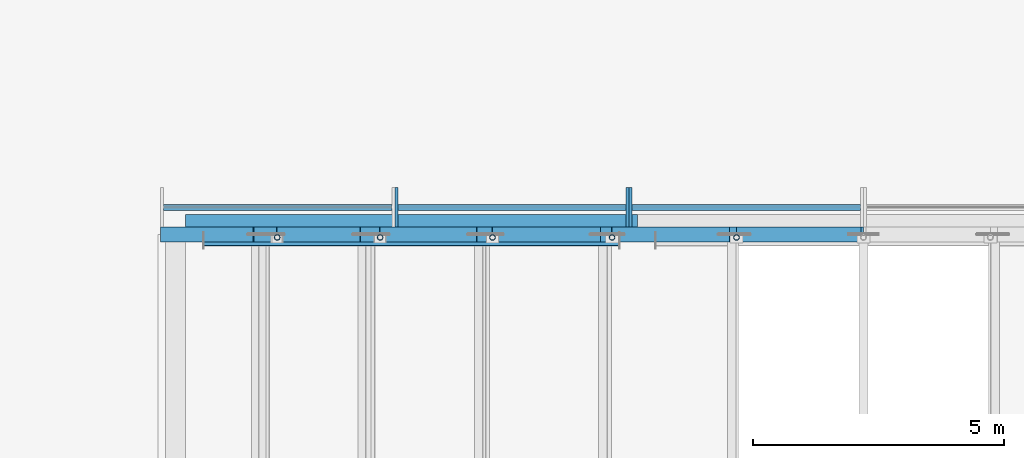
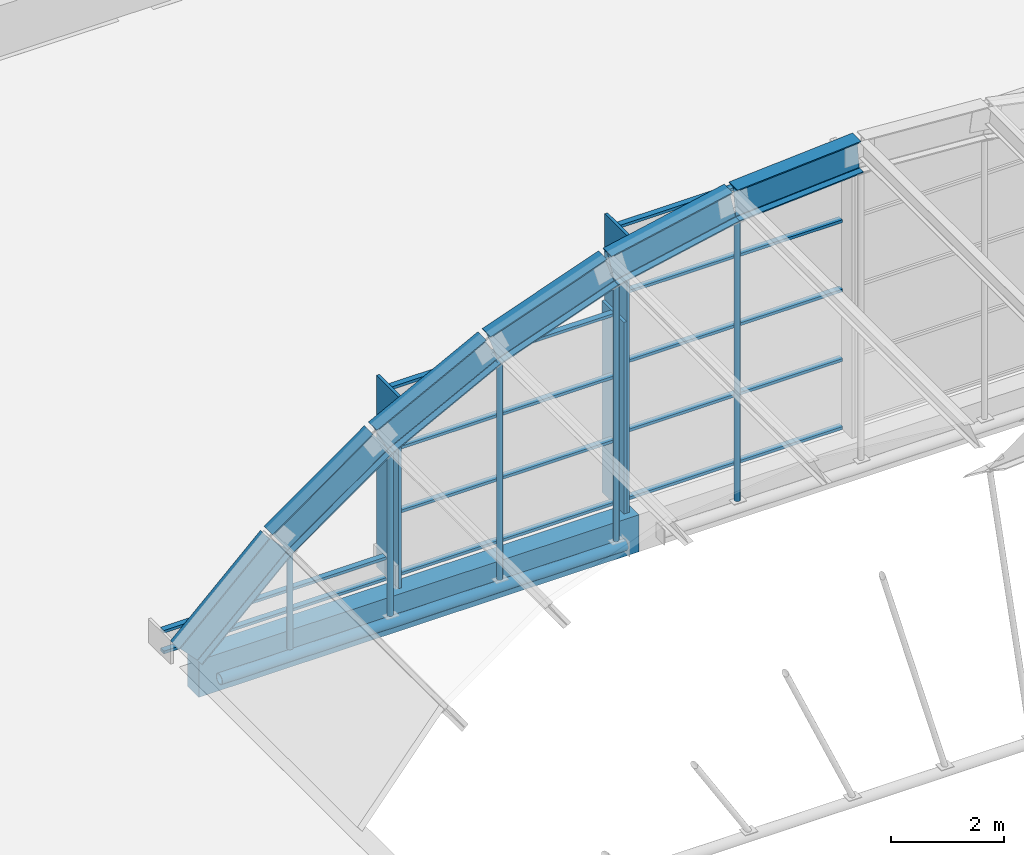
# One storey, part 14 of 43: 20 members, 7 beams, 3 elements without a shape of their own.
"""IFC4 building model written with IfcOpenShell, lengths in metres."""

import ifcopenshell
import ifcopenshell.guid

model = None  # the IFC model being written
_history = None  # IfcOwnerHistory: only IFC2X3 demands one
_inside = {}  # id of a spatial element -> (the spatial element, [elements in it])
_under = {}  # id of a project, library or spatial element -> (it, [spatial elements below it])
_declared = {}  # id of a project -> (the project, [libraries it declares])
_typed = {}  # id of a type object -> (the type object, [elements of that type])
_made_of = {}  # id of a material, layer set ... -> (it, [elements and type objects made of it])


def new_model(schema):
    """Start an empty IFC model of exactly this schema.

    Asked for "IFC4X3", IfcOpenShell would pick the latest addendum, in which some entities
    have other attributes; the version numbers below select the first issue.
    IFC2X3 requires an IfcOwnerHistory on every rooted entity: one is made here for all.
    """
    global model, _history
    if schema == "IFC4X3":
        model = ifcopenshell.file(schema_version=(4, 3, 0, 0))
    else:
        model = ifcopenshell.file(schema=schema)
    _inside.clear()
    _under.clear()
    _declared.clear()
    _typed.clear()
    _made_of.clear()
    _history = None
    if model.schema == "IFC2X3":
        org = make("IfcOrganization", Name="unknown")
        user = make(
            "IfcPersonAndOrganization",
            ThePerson=make("IfcPerson", FamilyName="unknown"),
            TheOrganization=org,
        )
        app = make(
            "IfcApplication",
            ApplicationDeveloper=org,
            Version="unknown",
            ApplicationFullName="unknown",
            ApplicationIdentifier="unknown",
        )
        _history = make(
            "IfcOwnerHistory",
            OwningUser=user,
            OwningApplication=app,
            ChangeAction="ADDED",
            CreationDate=0,
        )
    return model


def make(cls, **values):
    """One entity of the class cls with the attributes given. An attribute that is None is left unset."""
    return model.create_entity(
        cls, **{name: value for name, value in values.items() if value is not None}
    )


def rooted(cls, **values):
    """An entity with a GlobalId (a new one), such as an element, a storey or a relation."""
    return make(cls, GlobalId=ifcopenshell.guid.new(), OwnerHistory=_history, **values)


def si_unit(unit_type, name, prefix=None):
    """IfcSIUnit, for example si_unit("LENGTHUNIT", "METRE", prefix="MILLI")."""
    return make("IfcSIUnit", UnitType=unit_type, Prefix=prefix, Name=name)


def assignment(units):
    """IfcUnitAssignment: the units of a project."""
    return None if units is None else make("IfcUnitAssignment", Units=units)


def point(xyz):
    """IfcCartesianPoint."""
    return None if xyz is None else make("IfcCartesianPoint", Coordinates=xyz)


def direction(xyz):
    """IfcDirection."""
    return None if xyz is None else make("IfcDirection", DirectionRatios=xyz)


def frame(location, z_axis=None, x_axis=None):
    """IfcAxis2Placement3D, a coordinate frame: its origin and axes. An axis left out is left unset."""
    return make(
        "IfcAxis2Placement3D",
        Location=point(location),
        Axis=direction(z_axis),
        RefDirection=direction(x_axis),
    )


def frame_2d(location, x_axis=None):
    """IfcAxis2Placement2D, a coordinate frame in the plane: its origin and x axis."""
    return make(
        "IfcAxis2Placement2D", Location=point(location), RefDirection=direction(x_axis)
    )


def origin():
    """The frame at (0, 0, 0) with its axes left unset."""
    return frame((0.0, 0.0, 0.0))


def origin_2d():
    """The frame at (0, 0) in the plane with its x axis left unset."""
    return frame_2d((0.0, 0.0))


def place(relative_to, where):
    """IfcLocalPlacement: puts the frame where relative to a parent placement (None: the world)."""
    return make(
        "IfcLocalPlacement", PlacementRelTo=relative_to, RelativePlacement=where
    )


def context(
    kind, dimensions, precision=None, world=None, true_north=None, identifier=None
):
    """IfcGeometricRepresentationContext, for example the 3D "Model" context."""
    return make(
        "IfcGeometricRepresentationContext",
        ContextIdentifier=identifier,
        ContextType=kind,
        CoordinateSpaceDimension=dimensions,
        Precision=precision,
        WorldCoordinateSystem=world,
        TrueNorth=true_north,
    )


def subcontext(parent, identifier, kind, view, scale=None):
    """IfcGeometricRepresentationSubContext, for example "Body" below "Model"."""
    return make(
        "IfcGeometricRepresentationSubContext",
        ContextIdentifier=identifier,
        ContextType=kind,
        ParentContext=parent,
        TargetScale=scale,
        TargetView=view,
    )


def project(units=None, contexts=None):
    """IfcProject with its units and contexts."""
    return rooted(
        "IfcProject",
        Name="project",
        RepresentationContexts=contexts,
        UnitsInContext=assignment(units),
    )


def spatial(cls, under=None, at=None, **own):
    """A site, building, storey or space (cls), placed at a placement, below another one or the project."""
    s = rooted(cls, ObjectPlacement=at, **own)
    if under is not None:
        _under.setdefault(under.id(), (under, []))[1].append(s)
    return s


def profile(cls, at=None, kind="AREA", **sizes):
    """A parametric profile (cls). Its sizes go by their IFC names, for example OverallWidth=200.0."""
    return make(cls, ProfileType=kind, Position=at, **sizes)


def rectangle(**sizes):
    """IfcRectangleProfileDef."""
    return profile("IfcRectangleProfileDef", **sizes)


def hollow_circle(**sizes):
    """IfcCircleHollowProfileDef."""
    return profile("IfcCircleHollowProfileDef", **sizes)


def i_section(**sizes):
    """IfcIShapeProfileDef."""
    return profile("IfcIShapeProfileDef", **sizes)


def extrude(swept, where, along, depth):
    """IfcExtrudedAreaSolid: the profile swept, set in the frame where, extruded along a direction by depth."""
    return make(
        "IfcExtrudedAreaSolid",
        SweptArea=swept,
        Position=where,
        ExtrudedDirection=direction(along),
        Depth=depth,
    )


def shape(context_of_items, identifier, shape_type, items):
    """IfcShapeRepresentation: the items that make up one representation, for example the "Body"."""
    return make(
        "IfcShapeRepresentation",
        ContextOfItems=context_of_items,
        RepresentationIdentifier=identifier,
        RepresentationType=shape_type,
        Items=items,
    )


def material(Name=None, Category=None):
    """IfcMaterial."""
    return make("IfcMaterial", Name=Name, Category=Category)


def layer(
    of_material, thickness, ventilated=None, Name=None, Category=None, Priority=None
):
    """IfcMaterialLayer: one layer of a wall or slab, of a material (None: an air gap)."""
    return make(
        "IfcMaterialLayer",
        Material=of_material,
        LayerThickness=thickness,
        IsVentilated=ventilated,
        Name=Name,
        Category=Category,
        Priority=Priority,
    )


def layer_set(layers, Name=None):
    """IfcMaterialLayerSet."""
    return make("IfcMaterialLayerSet", MaterialLayers=layers, LayerSetName=Name)


def material_profile(
    of_material, cross_section, Name=None, Category=None, Priority=None
):
    """IfcMaterialProfile: a cross section and its material."""
    return make(
        "IfcMaterialProfile",
        Name=Name,
        Material=of_material,
        Profile=cross_section,
        Priority=Priority,
        Category=Category,
    )


def profile_set(profiles, Name=None, composite=None):
    """IfcMaterialProfileSet."""
    return make(
        "IfcMaterialProfileSet",
        Name=Name,
        MaterialProfiles=profiles,
        CompositeProfile=composite,
    )


def made_of(thing, what):
    """Note that an element or type object is made of a material, layer set ...; save() writes the relation."""
    if what is not None:
        _made_of.setdefault(what.id(), (what, []))[1].append(thing)
    return thing


def type_object(cls, material=None, **own):
    """A type object (cls), such as IfcWallType, which elements share."""
    return made_of(rooted(cls, **own), material)


def element(
    cls,
    number,
    at=None,
    inside=None,
    cuts=None,
    type_object=None,
    material=None,
    context=None,
    identifier="Body",
    shape_type=None,
    held_by="IfcProductDefinitionShape",
    body=None,
    shapes=None,
    **own,
):
    """One element of the class cls, such as IfcWall. Its Tag is "e" and its number.

    at: its placement. inside: the storey or other place that contains it. cuts: it is an
    opening in that element (IfcRelVoidsElement). A single representation is given by context,
    identifier, shape_type and body (its items); several are given by shapes. held_by: the class
    of the entity that holds the representations. save() writes the other relations.
    """
    e = rooted(cls, Tag="e%d" % number, ObjectPlacement=at, **own)
    if body is not None:
        shapes = [shape(context, identifier, shape_type, body)]
    if shapes is not None:
        e.Representation = make(held_by, Representations=shapes)
    if inside is not None:
        _inside.setdefault(inside.id(), (inside, []))[1].append(e)
    if cuts is not None:
        rooted(
            "IfcRelVoidsElement", RelatingBuildingElement=cuts, RelatedOpeningElement=e
        )
    if type_object is not None:
        _typed.setdefault(type_object.id(), (type_object, []))[1].append(e)
    return made_of(e, material)


def aggregate(whole, parts):
    """IfcRelAggregates: a whole, such as a stair, and the parts it consists of."""
    return rooted("IfcRelAggregates", RelatingObject=whole, RelatedObjects=parts)


def save(model, path):
    """Write the relations noted so far, then the file.

    IfcRelAggregates (storeys below a building ...), IfcRelContainedInSpatialStructure (elements
    in a storey), IfcRelDefinesByType, IfcRelAssociatesMaterial and IfcRelDeclares: one each for
    every whole, place, type object, material and project.
    """
    for whole, parts in _under.values():
        aggregate(whole, parts)
    for where, things in _inside.values():
        rooted(
            "IfcRelContainedInSpatialStructure",
            RelatedElements=things,
            RelatingStructure=where,
        )
    for kind, things in _typed.values():
        rooted("IfcRelDefinesByType", RelatedObjects=things, RelatingType=kind)
    for what, things in _made_of.values():
        rooted("IfcRelAssociatesMaterial", RelatedObjects=things, RelatingMaterial=what)
    for by, libraries in _declared.values():
        rooted("IfcRelDeclares", RelatingContext=by, RelatedDefinitions=libraries)
    model.write(path)


model = new_model("IFC4")

# Units and contexts
model_context = context("Model", 3, precision=1e-05, world=origin(), true_north=direction((0.0, 1.0)))
body_context = subcontext(model_context, "Body", "Model", "MODEL_VIEW")
ifc_project = project(units=[si_unit("LENGTHUNIT", "METRE"), si_unit("AREAUNIT", "SQUARE_METRE"), si_unit("VOLUMEUNIT", "CUBIC_METRE"), si_unit("PLANEANGLEUNIT", "RADIAN"), si_unit("MASSUNIT", "GRAM", prefix="KILO")], contexts=[model_context])

# Site, building, storey
site_placement = place(None, origin())
site = spatial("IfcSite", under=ifc_project, at=site_placement, CompositionType="ELEMENT")
building_placement = place(site_placement, origin())
building = spatial("IfcBuilding", under=site, at=building_placement, Name="Guidao Yard Department Store", CompositionType="ELEMENT")
storey_placement = place(building_placement, frame((0.0, 0.0, 28.5)))
storey = spatial("IfcBuildingStorey", under=building, at=storey_placement, Name="L06", CompositionType="ELEMENT", Elevation=28.5)

# Members
ifc_material_1 = material(Name="Steel Q355B", Category="steel")
ifc_material_profile_1 = material_profile(ifc_material_1, hollow_circle(Radius=0.056884765625, WallThickness=0.006103515625, at=origin_2d()), Name="CHS 114x6")
ifc_profile_set_1 = profile_set([ifc_material_profile_1], Name="Steel Q355B")
member_type_1 = type_object("IfcMemberType", Name="CHS 114x6", PredefinedType="BRACE", material=ifc_profile_set_1)
member_1_placement = place(storey_placement, frame((19.826416015625, 89.93994140625, -0.33447265625), z_axis=(0.0, 0.0, 1.0), x_axis=(1.0, 0.0, 0.0)))
element("IfcMember", 1, at=member_1_placement, inside=storey, type_object=member_type_1, Name="Roof web strut A05-01", PredefinedType="BRACE", context=body_context, shape_type="SweptSolid", body=[
    extrude(hollow_circle(Radius=0.056884765625, WallThickness=0.006103515625, at=origin_2d()), origin(), (0.0, 0.0, 1.0), 2.075439453125),
])
member_2_placement = place(storey_placement, frame((21.876708984375, 89.93994140625, -0.33447265625), z_axis=(0.0, 0.0, 1.0), x_axis=(1.0, 0.0, 0.0)))
element("IfcMember", 2, at=member_2_placement, inside=storey, type_object=member_type_1, Name="Roof web strut A05-02", PredefinedType="BRACE", context=body_context, shape_type="SweptSolid", body=[
    extrude(hollow_circle(Radius=0.056884765625, WallThickness=0.006103515625, at=origin_2d()), origin(), (0.0, 0.0, 1.0), 3.534423828125),
])
member_3_placement = place(storey_placement, frame((24.11376953125, 89.93994140625, -0.33447265625), z_axis=(0.0, 0.0, 1.0), x_axis=(1.0, 0.0, 0.0)))
element("IfcMember", 3, at=member_3_placement, inside=storey, type_object=member_type_1, Name="Roof web strut A05-03", PredefinedType="BRACE", context=body_context, shape_type="SweptSolid", body=[
    extrude(hollow_circle(Radius=0.056884765625, WallThickness=0.006103515625, at=origin_2d()), origin(), (0.0, 0.0, 1.0), 4.69970703125),
])
member_4_placement = place(storey_placement, frame((26.49462890625, 89.93994140625, -0.33447265625), z_axis=(0.0, 0.0, 1.0), x_axis=(1.0, 0.0, 0.0)))
element("IfcMember", 4, at=member_4_placement, inside=storey, type_object=member_type_1, Name="Roof web strut A05-04", PredefinedType="BRACE", context=body_context, shape_type="SweptSolid", body=[
    extrude(hollow_circle(Radius=0.056884765625, WallThickness=0.006103515625, at=origin_2d()), origin(), (0.0, 0.0, 1.0), 5.548583984375),
])
member_5_placement = place(storey_placement, frame((28.97265625, 89.93994140625, -0.33447265625), z_axis=(0.0, 0.0, 1.0), x_axis=(1.0, 0.0, 0.0)))
element("IfcMember", 5, at=member_5_placement, inside=storey, type_object=member_type_1, Name="Roof web strut A05-05", PredefinedType="BRACE", context=body_context, shape_type="SweptSolid", body=[
    extrude(hollow_circle(Radius=0.056884765625, WallThickness=0.006103515625, at=origin_2d()), origin(), (0.0, 0.0, 1.0), 6.064697265625),
])
ifc_material_2 = material(Name="Steel Q355B", Category="steel")
ifc_material_profile_2 = material_profile(ifc_material_2, hollow_circle(Radius=0.109619140625, WallThickness=0.010009765625, at=origin_2d()), Name="CHS 219x10")
ifc_profile_set_2 = profile_set([ifc_material_profile_2], Name="Steel Q355B")
member_type_2 = type_object("IfcMemberType", Name="CHS 219x10", PredefinedType="BRACE", material=ifc_profile_set_2)
member_6_placement = place(storey_placement, frame((18.35009765625, 89.8798828125, -0.449951171875), z_axis=(1.0, 0.0, 0.0), x_axis=(0.0, 1.0, 0.0)))
element("IfcMember", 6, at=member_6_placement, inside=storey, type_object=member_type_2, Name="Roof tie rod A05-1", PredefinedType="BRACE", context=body_context, shape_type="SweptSolid", body=[
    extrude(hollow_circle(Radius=0.109619140625, WallThickness=0.010009765625, at=origin_2d()), origin(), (0.0, 0.0, 1.0), 8.2998046875),
])

# Beams
ifc_material_3 = material(Name="Steel Q355B", Category="steel")
ifc_material_profile_3 = material_profile(ifc_material_3, i_section(OverallWidth=0.300048828125, OverallDepth=0.699951171875, WebThickness=0.012939453125, FlangeThickness=0.02392578125, FilletRadius=0.01806640625, at=origin_2d()), Name="HN 700x300x13x24")
ifc_profile_set_3 = profile_set([ifc_material_profile_3], Name="Steel Q355B")
beam_type_1 = type_object("IfcBeamType", Name="HN 700x300x13x24", PredefinedType="BEAM", material=ifc_profile_set_3)
beam_1_placement = place(storey_placement, frame((17.74462890625, 90.0, 0.25439453125), z_axis=(0.726628290109, 0.0, 0.687030805724), x_axis=(0.0, 1.0, 0.0)))
element("IfcBeam", 7, at=beam_1_placement, inside=storey, type_object=beam_type_1, Name="Roof rib A05-01", PredefinedType="BEAM", context=body_context, shape_type="SweptSolid", body=[
    extrude(i_section(OverallWidth=0.300048828125, OverallDepth=0.699951171875, WebThickness=0.012939453125, FlangeThickness=0.02392578125, FilletRadius=0.01806640625, at=origin_2d()), origin(), (0.0, 0.0, 1.0), 2.533935546875),
])
beam_2_placement = place(storey_placement, frame((19.62353515625, 90.0, 2.026123046875), z_axis=(0.814735308412, 0.0, 0.579833059791), x_axis=(0.0, 1.0, 0.0)))
element("IfcBeam", 8, at=beam_2_placement, inside=storey, type_object=beam_type_1, Name="Roof rib A05-02", PredefinedType="BEAM", context=body_context, shape_type="SweptSolid", body=[
    extrude(i_section(OverallWidth=0.300048828125, OverallDepth=0.699951171875, WebThickness=0.012939453125, FlangeThickness=0.02392578125, FilletRadius=0.01806640625, at=origin_2d()), origin(), (0.0, 0.0, 1.0), 2.51611328125),
])
beam_3_placement = place(storey_placement, frame((21.71484375, 90.0, 3.51025390625), z_axis=(0.886910779875, 0.0, 0.461940763023), x_axis=(0.0, 1.0, 0.0)))
element("IfcBeam", 9, at=beam_3_placement, inside=storey, type_object=beam_type_1, Name="Roof rib A05-03", PredefinedType="BEAM", context=body_context, shape_type="SweptSolid", body=[
    extrude(i_section(OverallWidth=0.300048828125, OverallDepth=0.699951171875, WebThickness=0.012939453125, FlangeThickness=0.02392578125, FilletRadius=0.01806640625, at=origin_2d()), origin(), (0.0, 0.0, 1.0), 2.5224609375),
])
beam_4_placement = place(storey_placement, frame((23.996337890625, 90.0, 4.69482421875), z_axis=(0.94189041097, 0.0, 0.335920308588), x_axis=(0.0, 1.0, 0.0)))
element("IfcBeam", 10, at=beam_4_placement, inside=storey, type_object=beam_type_1, Name="Roof rib A05-04", PredefinedType="BEAM", context=body_context, shape_type="SweptSolid", body=[
    extrude(i_section(OverallWidth=0.300048828125, OverallDepth=0.699951171875, WebThickness=0.012939453125, FlangeThickness=0.02392578125, FilletRadius=0.01806640625, at=origin_2d()), origin(), (0.0, 0.0, 1.0), 2.52783203125),
])
beam_5_placement = place(storey_placement, frame((26.42333984375, 90.0, 5.556884765625), z_axis=(0.978991652307, 0.0, 0.203900330343), x_axis=(0.0, 1.0, 0.0)))
element("IfcBeam", 11, at=beam_5_placement, inside=storey, type_object=beam_type_1, Name="Roof rib A05-05", PredefinedType="BEAM", context=body_context, shape_type="SweptSolid", body=[
    extrude(i_section(OverallWidth=0.300048828125, OverallDepth=0.699951171875, WebThickness=0.012939453125, FlangeThickness=0.02392578125, FilletRadius=0.01806640625, at=origin_2d()), origin(), (0.0, 0.0, 1.0), 2.53125),
])
beam_6_placement = place(storey_placement, frame((28.94873046875, 90.0, 6.07958984375), z_axis=(0.997662835171, 0.0, 0.06832911033), x_axis=(0.0, 1.0, 0.0)))
element("IfcBeam", 12, at=beam_6_placement, inside=storey, type_object=beam_type_1, Name="Roof rib A05-06", PredefinedType="BEAM", context=body_context, shape_type="SweptSolid", body=[
    extrude(i_section(OverallWidth=0.300048828125, OverallDepth=0.699951171875, WebThickness=0.012939453125, FlangeThickness=0.02392578125, FilletRadius=0.01806640625, at=origin_2d()), origin(), (0.0, 0.0, 1.0), 2.533203125),
])

# Curtain wall, members
ifc_material_4 = material(Name="Aluminium and glass", Category="aluminium")
ifc_layer = layer(ifc_material_4, 0.159912109375)
ifc_layer_set = layer_set([ifc_layer], Name="Gable glazing CW7 1500 module")
curtain_wall_type = type_object("IfcCurtainWallType", Name="Gable glazing CW7 1500 module", PredefinedType="NOTDEFINED", material=ifc_layer_set)
curtain_wall_1_placement = place(storey_placement, origin())
curtain_wall_1 = element("IfcCurtainWall", 13, at=curtain_wall_1_placement, inside=storey, type_object=curtain_wall_type, Name="Gable glazing AN2", PredefinedType="NOTDEFINED")
ifc_material_5 = material(Name="Aluminium 6063-T5", Category="aluminium")
ifc_material_profile_4 = material_profile(ifc_material_5, rectangle(XDim=0.06005859375, YDim=0.780029296875, at=origin_2d()), Name="Mullion M3 60 x 780 aluminium pressure plate")
ifc_profile_set_4 = profile_set([ifc_material_profile_4], Name="Aluminium 6063-T5")
member_type_3 = type_object("IfcMemberType", Name="Mullion M3 60 x 780 aluminium pressure plate", PredefinedType="MULLION", material=ifc_profile_set_4)
member_7_placement = place(storey_placement, frame((22.199462890625, 90.5400390625, 0.0), z_axis=(0.0, 0.0, 1.0), x_axis=(1.0, 0.0, 0.0)))
member_7 = element("IfcMember", 14, at=member_7_placement, type_object=member_type_3, Name="CW-TAN2 mullion 1", PredefinedType="MULLION", context=body_context, shape_type="SweptSolid", body=[
    extrude(rectangle(XDim=0.06005859375, YDim=0.780029296875, at=origin_2d()), origin(), (0.0, 0.0, 1.0), 4.1416015625),
])
member_8_placement = place(storey_placement, frame((26.8046875, 90.5400390625, 0.0), z_axis=(0.0, 0.0, 1.0), x_axis=(1.0, 0.0, 0.0)))
member_8 = element("IfcMember", 15, at=member_8_placement, type_object=member_type_3, Name="CW-TAN2 mullion 2", PredefinedType="MULLION", context=body_context, shape_type="SweptSolid", body=[
    extrude(rectangle(XDim=0.06005859375, YDim=0.780029296875, at=origin_2d()), origin(), (0.0, 0.0, 1.0), 4.1416015625),
])

# Curtain wall, member
curtain_wall_2_placement = place(storey_placement, origin())
curtain_wall_2 = element("IfcCurtainWall", 16, at=curtain_wall_2_placement, inside=storey, type_object=curtain_wall_type, Name="Gable glazing AN3", PredefinedType="NOTDEFINED")
member_9_placement = place(storey_placement, frame((26.86474609375, 90.5400390625, 0.0), z_axis=(0.0, 0.0, 1.0), x_axis=(1.0, 0.0, 0.0)))
member_9 = element("IfcMember", 17, at=member_9_placement, type_object=member_type_3, Name="CW-TAN3 mullion 1", PredefinedType="MULLION", context=body_context, shape_type="SweptSolid", body=[
    extrude(rectangle(XDim=0.06005859375, YDim=0.780029296875, at=origin_2d()), origin(), (0.0, 0.0, 1.0), 6.0),
])

# Curtain wall, members
curtain_wall_3_placement = place(storey_placement, origin())
curtain_wall_3 = element("IfcCurtainWall", 18, at=curtain_wall_3_placement, inside=storey, type_object=curtain_wall_type, Name="Gable glazing AN1", PredefinedType="NOTDEFINED")
ifc_material_6 = material(Name="Aluminium 6063-T5", Category="aluminium")
ifc_material_profile_5 = material_profile(ifc_material_6, rectangle(XDim=0.1201171875, YDim=0.06005859375, at=origin_2d()), Name="Transom T1 60 x 120 aluminium pressure plate")
ifc_profile_set_5 = profile_set([ifc_material_profile_5], Name="Aluminium 6063-T5")
member_type_4 = type_object("IfcMemberType", Name="Transom T1 60 x 120 aluminium pressure plate", PredefinedType="USERDEFINED", material=ifc_profile_set_5)
member_10_placement = place(storey_placement, frame((17.56396484375, 90.5400390625, 0.030029296875), z_axis=(1.0, 0.0, 0.0), x_axis=(0.0, 1.0, 0.0)))
member_10 = element("IfcMember", 19, at=member_10_placement, type_object=member_type_4, Name="CW-TAN1 transom 1.1", ObjectType="TRANSOM", PredefinedType="USERDEFINED", context=body_context, shape_type="SweptSolid", body=[
    extrude(rectangle(XDim=0.1201171875, YDim=0.06005859375, at=origin_2d()), origin(), (0.0, 0.0, 1.0), 4.54541015625),
])
member_11_placement = place(storey_placement, frame((17.56396484375, 90.5400390625, 0.478759765625), z_axis=(1.0, 0.0, 0.0), x_axis=(0.0, 1.0, 0.0)))
member_11 = element("IfcMember", 20, at=member_11_placement, type_object=member_type_4, Name="CW-TAN1 transom 1.2", ObjectType="TRANSOM", PredefinedType="USERDEFINED", context=body_context, shape_type="SweptSolid", body=[
    extrude(rectangle(XDim=0.1201171875, YDim=0.06005859375, at=origin_2d()), origin(), (0.0, 0.0, 1.0), 4.54541015625),
])
aggregate(curtain_wall_3, [member_10, member_11])

# Member
member_12_placement = place(storey_placement, frame((22.2294921875, 90.5400390625, 0.030029296875), z_axis=(1.0, 0.0, 0.0), x_axis=(0.0, 1.0, 0.0)))
member_12 = element("IfcMember", 21, at=member_12_placement, type_object=member_type_4, Name="CW-TAN2 transom 1.1", ObjectType="TRANSOM", PredefinedType="USERDEFINED", context=body_context, shape_type="SweptSolid", body=[
    extrude(rectangle(XDim=0.1201171875, YDim=0.06005859375, at=origin_2d()), origin(), (0.0, 0.0, 1.0), 4.545166015625),
])

member_13_placement = place(storey_placement, frame((22.2294921875, 90.5400390625, 1.380615234375), z_axis=(1.0, 0.0, 0.0), x_axis=(0.0, 1.0, 0.0)))
member_13 = element("IfcMember", 22, at=member_13_placement, type_object=member_type_4, Name="CW-TAN2 transom 1.2", ObjectType="TRANSOM", PredefinedType="USERDEFINED", context=body_context, shape_type="SweptSolid", body=[
    extrude(rectangle(XDim=0.1201171875, YDim=0.06005859375, at=origin_2d()), origin(), (0.0, 0.0, 1.0), 4.545166015625),
])

member_14_placement = place(storey_placement, frame((22.2294921875, 90.5400390625, 2.760986328125), z_axis=(1.0, 0.0, 0.0), x_axis=(0.0, 1.0, 0.0)))
member_14 = element("IfcMember", 23, at=member_14_placement, type_object=member_type_4, Name="CW-TAN2 transom 1.3", ObjectType="TRANSOM", PredefinedType="USERDEFINED", context=body_context, shape_type="SweptSolid", body=[
    extrude(rectangle(XDim=0.1201171875, YDim=0.06005859375, at=origin_2d()), origin(), (0.0, 0.0, 1.0), 4.545166015625),
])

member_15_placement = place(storey_placement, frame((22.2294921875, 90.5400390625, 4.111572265625), z_axis=(1.0, 0.0, 0.0), x_axis=(0.0, 1.0, 0.0)))
member_15 = element("IfcMember", 24, at=member_15_placement, type_object=member_type_4, Name="CW-TAN2 transom 1.4", ObjectType="TRANSOM", PredefinedType="USERDEFINED", context=body_context, shape_type="SweptSolid", body=[
    extrude(rectangle(XDim=0.1201171875, YDim=0.06005859375, at=origin_2d()), origin(), (0.0, 0.0, 1.0), 4.545166015625),
])

aggregate(curtain_wall_1, [member_7, member_8, member_12, member_13, member_14, member_15])

member_16_placement = place(storey_placement, frame((26.894775390625, 90.5400390625, 0.030029296875), z_axis=(1.0, 0.0, 0.0), x_axis=(0.0, 1.0, 0.0)))
member_16 = element("IfcMember", 25, at=member_16_placement, type_object=member_type_4, Name="CW-TAN3 transom 1.1", ObjectType="TRANSOM", PredefinedType="USERDEFINED", context=body_context, shape_type="SweptSolid", body=[
    extrude(rectangle(XDim=0.1201171875, YDim=0.06005859375, at=origin_2d()), origin(), (0.0, 0.0, 1.0), 4.545166015625),
])

member_17_placement = place(storey_placement, frame((26.894775390625, 90.5400390625, 1.5), z_axis=(1.0, 0.0, 0.0), x_axis=(0.0, 1.0, 0.0)))
member_17 = element("IfcMember", 26, at=member_17_placement, type_object=member_type_4, Name="CW-TAN3 transom 1.2", ObjectType="TRANSOM", PredefinedType="USERDEFINED", context=body_context, shape_type="SweptSolid", body=[
    extrude(rectangle(XDim=0.1201171875, YDim=0.06005859375, at=origin_2d()), origin(), (0.0, 0.0, 1.0), 4.545166015625),
])

member_18_placement = place(storey_placement, frame((26.894775390625, 90.5400390625, 3.0), z_axis=(1.0, 0.0, 0.0), x_axis=(0.0, 1.0, 0.0)))
member_18 = element("IfcMember", 27, at=member_18_placement, type_object=member_type_4, Name="CW-TAN3 transom 1.3", ObjectType="TRANSOM", PredefinedType="USERDEFINED", context=body_context, shape_type="SweptSolid", body=[
    extrude(rectangle(XDim=0.1201171875, YDim=0.06005859375, at=origin_2d()), origin(), (0.0, 0.0, 1.0), 4.545166015625),
])

member_19_placement = place(storey_placement, frame((26.894775390625, 90.5400390625, 4.5), z_axis=(1.0, 0.0, 0.0), x_axis=(0.0, 1.0, 0.0)))
member_19 = element("IfcMember", 28, at=member_19_placement, type_object=member_type_4, Name="CW-TAN3 transom 1.4", ObjectType="TRANSOM", PredefinedType="USERDEFINED", context=body_context, shape_type="SweptSolid", body=[
    extrude(rectangle(XDim=0.1201171875, YDim=0.06005859375, at=origin_2d()), origin(), (0.0, 0.0, 1.0), 4.545166015625),
])

member_20_placement = place(storey_placement, frame((26.894775390625, 90.5400390625, 5.969970703125), z_axis=(1.0, 0.0, 0.0), x_axis=(0.0, 1.0, 0.0)))
member_20 = element("IfcMember", 29, at=member_20_placement, type_object=member_type_4, Name="CW-TAN3 transom 1.5", ObjectType="TRANSOM", PredefinedType="USERDEFINED", context=body_context, shape_type="SweptSolid", body=[
    extrude(rectangle(XDim=0.1201171875, YDim=0.06005859375, at=origin_2d()), origin(), (0.0, 0.0, 1.0), 4.545166015625),
])

aggregate(curtain_wall_2, [member_9, member_16, member_17, member_18, member_19, member_20])

# Beam
ifc_material_7 = material(Name="Concrete C40", Category="concrete")
ifc_material_profile_6 = material_profile(ifc_material_7, rectangle(XDim=0.39990234375, YDim=0.800048828125, at=origin_2d()), Name="Vault bearing beam 400 x 800 C40")
ifc_profile_set_6 = profile_set([ifc_material_profile_6], Name="Concrete C40")
beam_type_2 = type_object("IfcBeamType", Name="Vault bearing beam 400 x 800 C40", PredefinedType="BEAM", material=ifc_profile_set_6)
beam_7_placement = place(storey_placement, frame((18.0, 90.199951171875, -0.39990234375), z_axis=(1.0, 0.0, 0.0), x_axis=(0.0, 1.0, 0.0)))
element("IfcBeam", 30, at=beam_7_placement, inside=storey, type_object=beam_type_2, Name="Beam VB12", PredefinedType="BEAM", context=body_context, shape_type="SweptSolid", body=[
    extrude(rectangle(XDim=0.39990234375, YDim=0.800048828125, at=origin_2d()), origin(), (0.0, 0.0, 1.0), 9.0),
])

save(model, "model.ifc")
